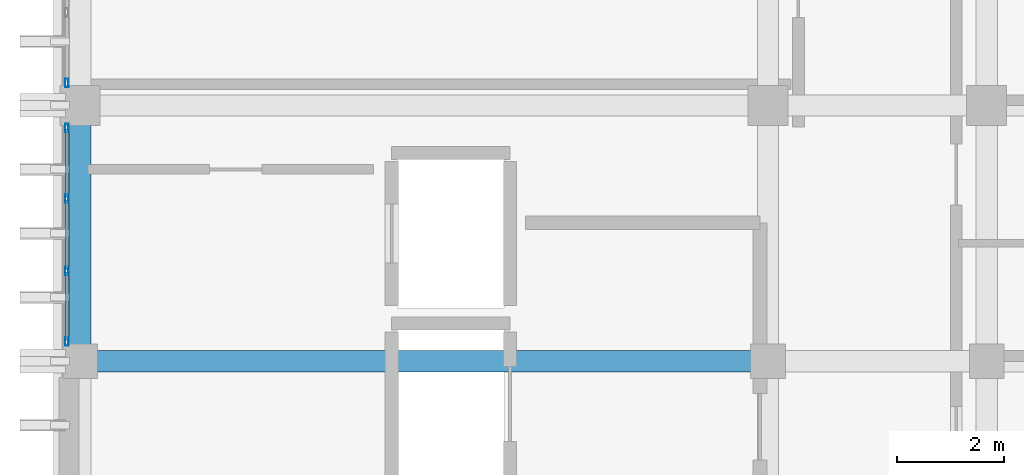
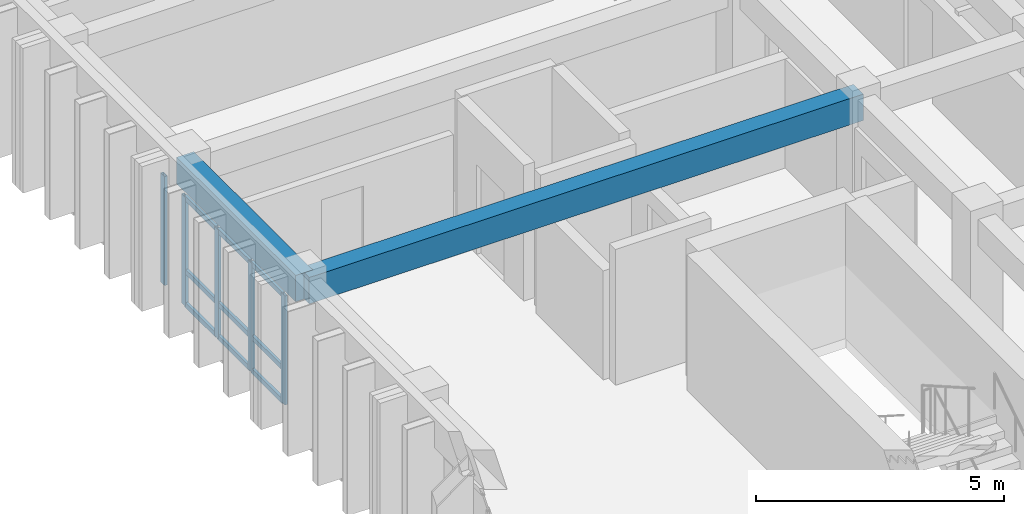
# One storey, part 27 of 64: 14 members, 2 beams, 2 elements without a shape of their own.
"""IFC4 building model written with IfcOpenShell, lengths in metres."""

from ifc_helpers import new_model, si_unit, direction, frame, origin, origin_2d, place, context, subcontext, project, spatial, rectangle, hollow_rectangle, extrude, material, layer, layer_set, material_profile, profile_set, type_object, element, aggregate, save


model = new_model("IFC4")

# Units and contexts
model_context = context("Model", 3, precision=1e-05, world=origin(), true_north=direction((0.0, 1.0)))
body_context = subcontext(model_context, "Body", "Model", "MODEL_VIEW")
ifc_project = project(units=[si_unit("LENGTHUNIT", "METRE"), si_unit("AREAUNIT", "SQUARE_METRE"), si_unit("VOLUMEUNIT", "CUBIC_METRE"), si_unit("PLANEANGLEUNIT", "RADIAN"), si_unit("MASSUNIT", "GRAM", prefix="KILO")], contexts=[model_context])

# Site, building, storey
site_placement = place(None, origin())
site = spatial("IfcSite", under=ifc_project, at=site_placement, CompositionType="ELEMENT")
building_placement = place(site_placement, origin())
building = spatial("IfcBuilding", under=site, at=building_placement, Name="Nakhvara Creek Congress Hotel", CompositionType="ELEMENT")
storey_placement = place(building_placement, frame((0.0, 0.0, 28.199951171875)))
storey = spatial("IfcBuildingStorey", under=building, at=storey_placement, Name="L06", CompositionType="ELEMENT", Elevation=28.199951171875)

# Beams
ifc_material_1 = material(Name="Concrete C40/50", Category="concrete")
ifc_material_profile_1 = material_profile(ifc_material_1, rectangle(XDim=0.39990234375, YDim=0.64990234375, at=origin_2d()), Name="RC-BM 400x650", Category="LoadBearing")
ifc_profile_set_1 = profile_set([ifc_material_profile_1], Name="Concrete C40/50")
beam_type = type_object("IfcBeamType", Name="BM-RC-400X650", PredefinedType="BEAM", material=ifc_profile_set_1)
beam_1_placement = place(storey_placement, frame((149.449951171875, 91.199951171875, 3.01513671875), z_axis=(0.0, 1.0, 0.0), x_axis=(-1.0, 0.0, 0.0)))
element("IfcBeam", 1, at=beam_1_placement, inside=storey, type_object=beam_type, Name="Beam B06-L06-2210", PredefinedType="BEAM", context=body_context, shape_type="SweptSolid", body=[
    extrude(rectangle(XDim=0.39990234375, YDim=0.64990234375, at=origin_2d()), origin(), (0.0, 0.0, 1.0), 4.800048828125),
])
beam_2_placement = place(storey_placement, frame((149.449951171875, 91.199951171875, 3.01513671875), z_axis=(1.0, 0.0, 0.0), x_axis=(0.0, 1.0, 0.0)))
element("IfcBeam", 2, at=beam_2_placement, inside=storey, type_object=beam_type, Name="Beam B06-L06-2297", PredefinedType="BEAM", context=body_context, shape_type="SweptSolid", body=[
    extrude(rectangle(XDim=0.39990234375, YDim=0.64990234375, at=origin_2d()), origin(), (0.0, 0.0, 1.0), 12.900146484375),
])

# Curtain wall, members
ifc_material_2 = material(Name="Bronze-anodised aluminium AW-6063-T6 and double-silver low-E glass", Category="aluminium")
ifc_layer = layer(ifc_material_2, 0.199951171875)
ifc_layer_set = layer_set([ifc_layer], Name="Bronze-anodised aluminium AW-6063-T6 and double-silver low-E glass")
curtain_wall_type = type_object("IfcCurtainWallType", Name="CW-HTL-UNIT", PredefinedType="USERDEFINED", material=ifc_layer_set)
curtain_wall_1_placement = place(storey_placement, origin())
curtain_wall_1 = element("IfcCurtainWall", 3, at=curtain_wall_1_placement, inside=storey, type_object=curtain_wall_type, Name="Curtain Wall CW244", ObjectType="UNITISED", PredefinedType="USERDEFINED")
ifc_material_3 = material(Name="Bronze-anodised aluminium AW-6063-T6", Category="aluminium")
ifc_material_profile_2 = material_profile(ifc_material_3, hollow_rectangle(XDim=0.06494140625, YDim=0.159912109375, WallThickness=0.00390625, at=origin_2d()), Name="ALU-MULL 65x160x4", Category="LoadBearing")
ifc_profile_set_2 = profile_set([ifc_material_profile_2], Name="Bronze-anodised aluminium AW-6063-T6")
member_type_1 = type_object("IfcMemberType", Name="CW-MULL-160", PredefinedType="MULLION", material=ifc_profile_set_2)
member_1_placement = place(storey_placement, frame((149.199951171875, 91.572509765625, 0.0), z_axis=(0.0, 0.0, 1.0), x_axis=(-1.0, 0.0, 0.0)))
member_1 = element("IfcMember", 4, at=member_1_placement, type_object=member_type_1, Name="CW244 mullion 1", PredefinedType="MULLION", context=body_context, shape_type="SweptSolid", body=[
    extrude(hollow_rectangle(XDim=0.06494140625, YDim=0.159912109375, WallThickness=0.00390625, at=origin_2d()), origin(), (0.0, 0.0, 1.0), 2.68212890625),
])
member_2_placement = place(storey_placement, frame((149.199951171875, 92.896728515625, 0.0), z_axis=(0.0, 0.0, 1.0), x_axis=(-1.0, 0.0, 0.0)))
member_2 = element("IfcMember", 5, at=member_2_placement, type_object=member_type_1, Name="CW244 mullion 2", PredefinedType="MULLION", context=body_context, shape_type="SweptSolid", body=[
    extrude(hollow_rectangle(XDim=0.06494140625, YDim=0.159912109375, WallThickness=0.00390625, at=origin_2d()), origin(), (0.0, 0.0, 1.0), 2.68212890625),
])
member_3_placement = place(storey_placement, frame((149.199951171875, 94.25341796875, 0.0), z_axis=(0.0, 0.0, 1.0), x_axis=(-1.0, 0.0, 0.0)))
member_3 = element("IfcMember", 6, at=member_3_placement, type_object=member_type_1, Name="CW244 mullion 3", PredefinedType="MULLION", context=body_context, shape_type="SweptSolid", body=[
    extrude(hollow_rectangle(XDim=0.06494140625, YDim=0.159912109375, WallThickness=0.00390625, at=origin_2d()), origin(), (0.0, 0.0, 1.0), 2.68212890625),
])
member_4_placement = place(storey_placement, frame((149.199951171875, 95.577392578125, 0.0), z_axis=(0.0, 0.0, 1.0), x_axis=(-1.0, 0.0, 0.0)))
member_4 = element("IfcMember", 7, at=member_4_placement, type_object=member_type_1, Name="CW244 mullion 4", PredefinedType="MULLION", context=body_context, shape_type="SweptSolid", body=[
    extrude(hollow_rectangle(XDim=0.06494140625, YDim=0.159912109375, WallThickness=0.00390625, at=origin_2d()), origin(), (0.0, 0.0, 1.0), 2.68212890625),
])

# Curtain wall, member
curtain_wall_2_placement = place(storey_placement, origin())
curtain_wall_2 = element("IfcCurtainWall", 8, at=curtain_wall_2_placement, inside=storey, type_object=curtain_wall_type, Name="Curtain Wall CW246", ObjectType="UNITISED", PredefinedType="USERDEFINED")
member_5_placement = place(storey_placement, frame((149.199951171875, 96.422607421875, 0.0), z_axis=(0.0, 0.0, 1.0), x_axis=(-1.0, 0.0, 0.0)))
member_5 = element("IfcMember", 9, at=member_5_placement, type_object=member_type_1, Name="CW246 mullion 1", PredefinedType="MULLION", context=body_context, shape_type="SweptSolid", body=[
    extrude(hollow_rectangle(XDim=0.06494140625, YDim=0.159912109375, WallThickness=0.00390625, at=origin_2d()), origin(), (0.0, 0.0, 1.0), 2.68212890625),
])
aggregate(curtain_wall_2, [member_5])

# Member
ifc_material_profile_3 = material_profile(ifc_material_3, hollow_rectangle(XDim=0.06494140625, YDim=0.1201171875, WallThickness=0.00390625, at=origin_2d()), Name="ALU-TRAN 65x120x4", Category="LoadBearing")
ifc_profile_set_3 = profile_set([ifc_material_profile_3], Name="Bronze-anodised aluminium AW-6063-T6")
member_type_2 = type_object("IfcMemberType", Name="CW-TRAN-120", PredefinedType="USERDEFINED", material=ifc_profile_set_3)
member_6_placement = place(storey_placement, frame((149.199951171875, 91.60498046875, 0.032470703125), z_axis=(0.0, 1.0, 0.0), x_axis=(-1.0, 0.0, 0.0)))
member_6 = element("IfcMember", 10, at=member_6_placement, type_object=member_type_2, Name="CW244 transom 1.1", ObjectType="TRANSOM", PredefinedType="USERDEFINED", context=body_context, shape_type="SweptSolid", body=[
    extrude(hollow_rectangle(XDim=0.06494140625, YDim=0.1201171875, WallThickness=0.00390625, at=origin_2d()), origin(), (0.0, 0.0, 1.0), 1.25927734375),
])

member_7_placement = place(storey_placement, frame((149.199951171875, 91.60498046875, 0.85009765625), z_axis=(0.0, 1.0, 0.0), x_axis=(-1.0, 0.0, 0.0)))
member_7 = element("IfcMember", 11, at=member_7_placement, type_object=member_type_2, Name="CW244 transom 1.2", ObjectType="TRANSOM", PredefinedType="USERDEFINED", context=body_context, shape_type="SweptSolid", body=[
    extrude(hollow_rectangle(XDim=0.06494140625, YDim=0.1201171875, WallThickness=0.00390625, at=origin_2d()), origin(), (0.0, 0.0, 1.0), 1.25927734375),
])

member_8_placement = place(storey_placement, frame((149.199951171875, 91.60498046875, 2.649658203125), z_axis=(0.0, 1.0, 0.0), x_axis=(-1.0, 0.0, 0.0)))
member_8 = element("IfcMember", 12, at=member_8_placement, type_object=member_type_2, Name="CW244 transom 1.3", ObjectType="TRANSOM", PredefinedType="USERDEFINED", context=body_context, shape_type="SweptSolid", body=[
    extrude(hollow_rectangle(XDim=0.06494140625, YDim=0.1201171875, WallThickness=0.00390625, at=origin_2d()), origin(), (0.0, 0.0, 1.0), 1.25927734375),
])

member_9_placement = place(storey_placement, frame((149.199951171875, 92.92919921875, 0.032470703125), z_axis=(0.0, 1.0, 0.0), x_axis=(-1.0, 0.0, 0.0)))
member_9 = element("IfcMember", 13, at=member_9_placement, type_object=member_type_2, Name="CW244 transom 2.1", ObjectType="TRANSOM", PredefinedType="USERDEFINED", context=body_context, shape_type="SweptSolid", body=[
    extrude(hollow_rectangle(XDim=0.06494140625, YDim=0.1201171875, WallThickness=0.00390625, at=origin_2d()), origin(), (0.0, 0.0, 1.0), 1.291748046875),
])

member_10_placement = place(storey_placement, frame((149.199951171875, 92.92919921875, 0.85009765625), z_axis=(0.0, 1.0, 0.0), x_axis=(-1.0, 0.0, 0.0)))
member_10 = element("IfcMember", 14, at=member_10_placement, type_object=member_type_2, Name="CW244 transom 2.2", ObjectType="TRANSOM", PredefinedType="USERDEFINED", context=body_context, shape_type="SweptSolid", body=[
    extrude(hollow_rectangle(XDim=0.06494140625, YDim=0.1201171875, WallThickness=0.00390625, at=origin_2d()), origin(), (0.0, 0.0, 1.0), 1.291748046875),
])

member_11_placement = place(storey_placement, frame((149.199951171875, 92.92919921875, 2.649658203125), z_axis=(0.0, 1.0, 0.0), x_axis=(-1.0, 0.0, 0.0)))
member_11 = element("IfcMember", 15, at=member_11_placement, type_object=member_type_2, Name="CW244 transom 2.3", ObjectType="TRANSOM", PredefinedType="USERDEFINED", context=body_context, shape_type="SweptSolid", body=[
    extrude(hollow_rectangle(XDim=0.06494140625, YDim=0.1201171875, WallThickness=0.00390625, at=origin_2d()), origin(), (0.0, 0.0, 1.0), 1.291748046875),
])

member_12_placement = place(storey_placement, frame((149.199951171875, 94.285888671875, 0.032470703125), z_axis=(0.0, 1.0, 0.0), x_axis=(-1.0, 0.0, 0.0)))
member_12 = element("IfcMember", 16, at=member_12_placement, type_object=member_type_2, Name="CW244 transom 3.1", ObjectType="TRANSOM", PredefinedType="USERDEFINED", context=body_context, shape_type="SweptSolid", body=[
    extrude(hollow_rectangle(XDim=0.06494140625, YDim=0.1201171875, WallThickness=0.00390625, at=origin_2d()), origin(), (0.0, 0.0, 1.0), 1.259033203125),
])

member_13_placement = place(storey_placement, frame((149.199951171875, 94.285888671875, 0.85009765625), z_axis=(0.0, 1.0, 0.0), x_axis=(-1.0, 0.0, 0.0)))
member_13 = element("IfcMember", 17, at=member_13_placement, type_object=member_type_2, Name="CW244 transom 3.2", ObjectType="TRANSOM", PredefinedType="USERDEFINED", context=body_context, shape_type="SweptSolid", body=[
    extrude(hollow_rectangle(XDim=0.06494140625, YDim=0.1201171875, WallThickness=0.00390625, at=origin_2d()), origin(), (0.0, 0.0, 1.0), 1.259033203125),
])

member_14_placement = place(storey_placement, frame((149.199951171875, 94.285888671875, 2.649658203125), z_axis=(0.0, 1.0, 0.0), x_axis=(-1.0, 0.0, 0.0)))
member_14 = element("IfcMember", 18, at=member_14_placement, type_object=member_type_2, Name="CW244 transom 3.3", ObjectType="TRANSOM", PredefinedType="USERDEFINED", context=body_context, shape_type="SweptSolid", body=[
    extrude(hollow_rectangle(XDim=0.06494140625, YDim=0.1201171875, WallThickness=0.00390625, at=origin_2d()), origin(), (0.0, 0.0, 1.0), 1.259033203125),
])

aggregate(curtain_wall_1, [member_1, member_2, member_3, member_4, member_6, member_7, member_8, member_9, member_10, member_11, member_12, member_13, member_14])

save(model, "model.ifc")
